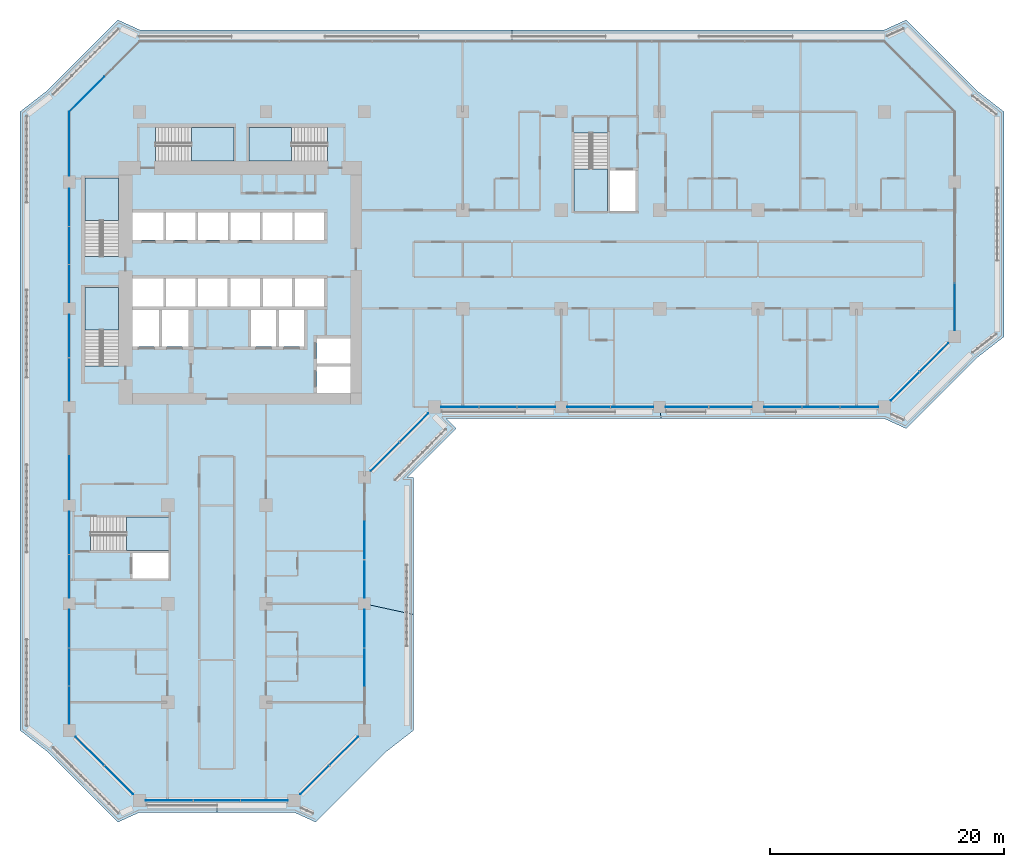
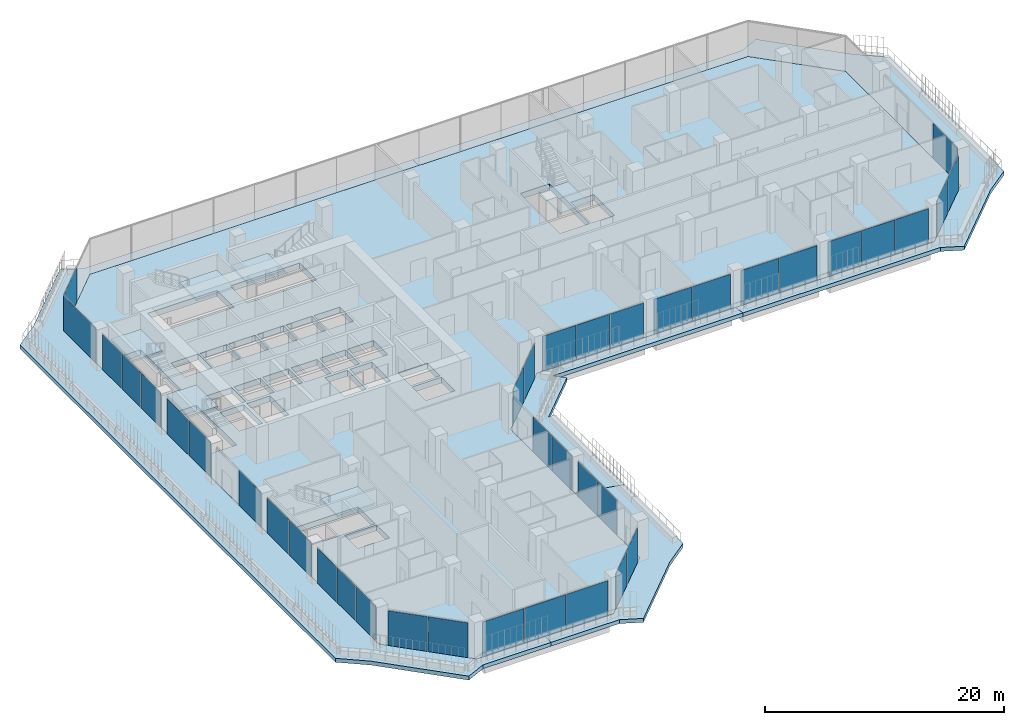
# One storey, part 9 of 23: 39 plates, 11 slabs, 16 elements without a shape of their own.
"""IFC4 building model written with IfcOpenShell, lengths in metres."""

from ifc_helpers import new_model, si_unit, direction, frame, origin, origin_2d, place, context, subcontext, project, spatial, polyline, rectangle, outline, extrude, material, layer, layer_set, type_object, element, aggregate, save


model = new_model("IFC4")

# Units and contexts
model_context = context("Model", 3, precision=1e-05, world=origin(), true_north=direction((0.0, 1.0)))
body_context = subcontext(model_context, "Body", "Model", "MODEL_VIEW")
ifc_project = project(units=[si_unit("LENGTHUNIT", "METRE"), si_unit("AREAUNIT", "SQUARE_METRE"), si_unit("VOLUMEUNIT", "CUBIC_METRE"), si_unit("PLANEANGLEUNIT", "RADIAN"), si_unit("MASSUNIT", "GRAM", prefix="KILO")], contexts=[model_context])

# Site, building, storey
site_placement = place(None, origin())
site = spatial("IfcSite", under=ifc_project, at=site_placement, CompositionType="ELEMENT")
building_placement = place(site_placement, origin())
building = spatial("IfcBuilding", under=site, at=building_placement, Name="Kawkab Arch Medical Tower", CompositionType="ELEMENT")
storey_placement = place(building_placement, frame((0.0, 0.0, 149.199951171875)))
storey = spatial("IfcBuildingStorey", under=building, at=storey_placement, Name="L34", CompositionType="ELEMENT", Elevation=149.199951171875)

# Curtain wall, plates
ifc_material_1 = material(Name="Bronze anodised aluminium curtain wall frame", Category="aluminium")
ifc_layer_1 = layer(ifc_material_1, 0.159912109375)
ifc_layer_set_1 = layer_set([ifc_layer_1], Name="Bronze anodised aluminium curtain wall frame")
curtain_wall_type_1 = type_object("IfcCurtainWallType", Name="CW1 ward curtain wall", PredefinedType="NOTDEFINED", material=ifc_layer_set_1)
placement_1 = place(storey_placement, origin())
curtain_wall_1 = element("IfcCurtainWall", 1, at=placement_1, inside=storey, type_object=curtain_wall_type_1, Name="CW1 Ward curtain wall R01", PredefinedType="NOTDEFINED")
ifc_material_2 = material(Name="Tinted insulating glass, bronze low-e coating", Category="glass")
ifc_layer_2 = layer(ifc_material_2, 0.031982421875)
ifc_layer_set_2 = layer_set([ifc_layer_2], Name="Tinted insulating glass, bronze low-e coating")
plate_type_1 = type_object("IfcPlateType", Name="CW1 glazing unit 32", PredefinedType="CURTAIN_PANEL", material=ifc_layer_set_2)
plate_1_placement = place(storey_placement, frame((0.0, -2.72509765625, 0.0), z_axis=(0.0, 0.0, 1.0), x_axis=(0.0, -1.0, 0.0)))
plate_1 = element("IfcPlate", 2, at=plate_1_placement, type_object=plate_type_1, Name="CW1 glazing unit 1.1", PredefinedType="CURTAIN_PANEL", context=body_context, shape_type="SweptSolid", body=[
    extrude(rectangle(XDim=5.449951171875, YDim=0.031982421875, at=origin_2d()), origin(), (0.0, 0.0, 1.0), 3.580078125),
])
plate_2_placement = place(storey_placement, frame((0.0, -8.15576171875, 0.0), z_axis=(0.0, 0.0, 1.0), x_axis=(0.0, -1.0, 0.0)))
plate_2 = element("IfcPlate", 3, at=plate_2_placement, type_object=plate_type_1, Name="CW1 glazing unit 2.1", PredefinedType="CURTAIN_PANEL", context=body_context, shape_type="SweptSolid", body=[
    extrude(rectangle(XDim=3.211669921875, YDim=0.031982421875, at=origin_2d()), origin(), (0.0, 0.0, 1.0), 3.580078125),
])
plate_3_placement = place(storey_placement, frame((0.0, -11.41259765625, 0.0), z_axis=(0.0, 0.0, 1.0), x_axis=(0.0, -1.0, 0.0)))
plate_3 = element("IfcPlate", 4, at=plate_3_placement, type_object=plate_type_1, Name="CW1 glazing unit 2.2", PredefinedType="CURTAIN_PANEL", context=body_context, shape_type="SweptSolid", body=[
    extrude(rectangle(XDim=3.181640625, YDim=0.031982421875, at=origin_2d()), origin(), (0.0, 0.0, 1.0), 3.580078125),
])
plate_4_placement = place(storey_placement, frame((0.0, -14.669189453125, 0.0), z_axis=(0.0, 0.0, 1.0), x_axis=(0.0, -1.0, 0.0)))
plate_4 = element("IfcPlate", 5, at=plate_4_placement, type_object=plate_type_1, Name="CW1 glazing unit 2.3", PredefinedType="CURTAIN_PANEL", context=body_context, shape_type="SweptSolid", body=[
    extrude(rectangle(XDim=3.211669921875, YDim=0.031982421875, at=origin_2d()), origin(), (0.0, 0.0, 1.0), 3.580078125),
])
plate_5_placement = place(storey_placement, frame((0.0, -19.1474609375, 0.0), z_axis=(0.0, 0.0, 1.0), x_axis=(0.0, -1.0, 0.0)))
plate_5 = element("IfcPlate", 6, at=plate_5_placement, type_object=plate_type_1, Name="CW1 glazing unit 3.1", PredefinedType="CURTAIN_PANEL", context=body_context, shape_type="SweptSolid", body=[
    extrude(rectangle(XDim=3.64501953125, YDim=0.031982421875, at=origin_2d()), origin(), (0.0, 0.0, 1.0), 3.580078125),
])
plate_6_placement = place(storey_placement, frame((0.0, -22.8525390625, 0.0), z_axis=(0.0, 0.0, 1.0), x_axis=(0.0, -1.0, 0.0)))
plate_6 = element("IfcPlate", 7, at=plate_6_placement, type_object=plate_type_1, Name="CW1 glazing unit 3.2", PredefinedType="CURTAIN_PANEL", context=body_context, shape_type="SweptSolid", body=[
    extrude(rectangle(XDim=3.64501953125, YDim=0.031982421875, at=origin_2d()), origin(), (0.0, 0.0, 1.0), 3.580078125),
])
plate_7_placement = place(storey_placement, frame((0.0, -31.237548828125, 0.0), z_axis=(0.0, 0.0, 1.0), x_axis=(0.0, -1.0, 0.0)))
plate_7 = element("IfcPlate", 8, at=plate_7_placement, type_object=plate_type_1, Name="CW1 glazing unit 4.2", PredefinedType="CURTAIN_PANEL", context=body_context, shape_type="SweptSolid", body=[
    extrude(rectangle(XDim=3.675048828125, YDim=0.031982421875, at=origin_2d()), origin(), (0.0, 0.0, 1.0), 3.580078125),
])
plate_8_placement = place(storey_placement, frame((0.0, -35.947509765625, 0.0), z_axis=(0.0, 0.0, 1.0), x_axis=(0.0, -1.0, 0.0)))
plate_8 = element("IfcPlate", 9, at=plate_8_placement, type_object=plate_type_1, Name="CW1 glazing unit 5.1", PredefinedType="CURTAIN_PANEL", context=body_context, shape_type="SweptSolid", body=[
    extrude(rectangle(XDim=3.64501953125, YDim=0.031982421875, at=origin_2d()), origin(), (0.0, 0.0, 1.0), 3.580078125),
])
plate_9_placement = place(storey_placement, frame((0.0, -39.652587890625, 0.0), z_axis=(0.0, 0.0, 1.0), x_axis=(0.0, -1.0, 0.0)))
plate_9 = element("IfcPlate", 10, at=plate_9_placement, type_object=plate_type_1, Name="CW1 glazing unit 5.2", PredefinedType="CURTAIN_PANEL", context=body_context, shape_type="SweptSolid", body=[
    extrude(rectangle(XDim=3.64501953125, YDim=0.031982421875, at=origin_2d()), origin(), (0.0, 0.0, 1.0), 3.580078125),
])
plate_10_placement = place(storey_placement, frame((0.0, -44.130859375, 0.0), z_axis=(0.0, 0.0, 1.0), x_axis=(0.0, -1.0, 0.0)))
plate_10 = element("IfcPlate", 11, at=plate_10_placement, type_object=plate_type_1, Name="CW1 glazing unit 6.1", PredefinedType="CURTAIN_PANEL", context=body_context, shape_type="SweptSolid", body=[
    extrude(rectangle(XDim=3.211669921875, YDim=0.031982421875, at=origin_2d()), origin(), (0.0, 0.0, 1.0), 3.580078125),
])
plate_11_placement = place(storey_placement, frame((0.0, -47.387451171875, 0.0), z_axis=(0.0, 0.0, 1.0), x_axis=(0.0, -1.0, 0.0)))
plate_11 = element("IfcPlate", 12, at=plate_11_placement, type_object=plate_type_1, Name="CW1 glazing unit 6.2", PredefinedType="CURTAIN_PANEL", context=body_context, shape_type="SweptSolid", body=[
    extrude(rectangle(XDim=3.181640625, YDim=0.031982421875, at=origin_2d()), origin(), (0.0, 0.0, 1.0), 3.580078125),
])
plate_12_placement = place(storey_placement, frame((0.0, -50.644287109375, 0.0), z_axis=(0.0, 0.0, 1.0), x_axis=(0.0, -1.0, 0.0)))
plate_12 = element("IfcPlate", 13, at=plate_12_placement, type_object=plate_type_1, Name="CW1 glazing unit 6.3", PredefinedType="CURTAIN_PANEL", context=body_context, shape_type="SweptSolid", body=[
    extrude(rectangle(XDim=3.211669921875, YDim=0.031982421875, at=origin_2d()), origin(), (0.0, 0.0, 1.0), 3.580078125),
])
aggregate(curtain_wall_1, [plate_1, plate_2, plate_3, plate_4, plate_5, plate_6, plate_7, plate_8, plate_9, plate_10, plate_11, plate_12])

curtain_wall_2 = element("IfcCurtainWall", 14, at=placement_1, inside=storey, type_object=curtain_wall_type_1, Name="CW1 Ward curtain wall R03", PredefinedType="NOTDEFINED")
plate_13_placement = place(storey_placement, frame((8.5517578125, -58.800048828125, 0.0), z_axis=(0.0, 0.0, 1.0), x_axis=(1.0, 0.0, 0.0)))
plate_13 = element("IfcPlate", 15, at=plate_13_placement, type_object=plate_type_1, Name="CW1 glazing unit 1.1", PredefinedType="CURTAIN_PANEL", context=body_context, shape_type="SweptSolid", body=[
    extrude(rectangle(XDim=4.00341796875, YDim=0.031982421875, at=origin_2d()), origin(), (0.0, 0.0, 1.0), 3.580078125),
])
plate_14_placement = place(storey_placement, frame((12.60009765625, -58.800048828125, 0.0), z_axis=(0.0, 0.0, 1.0), x_axis=(1.0, 0.0, 0.0)))
plate_14 = element("IfcPlate", 16, at=plate_14_placement, type_object=plate_type_1, Name="CW1 glazing unit 1.2", PredefinedType="CURTAIN_PANEL", context=body_context, shape_type="SweptSolid", body=[
    extrude(rectangle(XDim=3.973388671875, YDim=0.031982421875, at=origin_2d()), origin(), (0.0, 0.0, 1.0), 3.580078125),
])
plate_15_placement = place(storey_placement, frame((16.6484375, -58.800048828125, 0.0), z_axis=(0.0, 0.0, 1.0), x_axis=(1.0, 0.0, 0.0)))
plate_15 = element("IfcPlate", 17, at=plate_15_placement, type_object=plate_type_1, Name="CW1 glazing unit 1.3", PredefinedType="CURTAIN_PANEL", context=body_context, shape_type="SweptSolid", body=[
    extrude(rectangle(XDim=4.00341796875, YDim=0.031982421875, at=origin_2d()), origin(), (0.0, 0.0, 1.0), 3.580078125),
])
aggregate(curtain_wall_2, [plate_13, plate_14, plate_15])

curtain_wall_3 = element("IfcCurtainWall", 18, at=placement_1, inside=storey, type_object=curtain_wall_type_1, Name="CW1 Ward curtain wall R05", PredefinedType="NOTDEFINED")
plate_16_placement = place(storey_placement, frame((25.199951171875, -47.402587890625, 0.0), z_axis=(0.0, 0.0, 1.0), x_axis=(0.0, 1.0, 0.0)))
plate_16 = element("IfcPlate", 19, at=plate_16_placement, type_object=plate_type_1, Name="CW1 glazing unit 1.2", PredefinedType="CURTAIN_PANEL", context=body_context, shape_type="SweptSolid", body=[
    extrude(rectangle(XDim=3.211669921875, YDim=0.031982421875, at=origin_2d()), origin(), (0.0, 0.0, 1.0), 3.580078125),
])
plate_17_placement = place(storey_placement, frame((25.199951171875, -44.130859375, 0.0), z_axis=(0.0, 0.0, 1.0), x_axis=(0.0, 1.0, 0.0)))
plate_17 = element("IfcPlate", 20, at=plate_17_placement, type_object=plate_type_1, Name="CW1 glazing unit 1.3", PredefinedType="CURTAIN_PANEL", context=body_context, shape_type="SweptSolid", body=[
    extrude(rectangle(XDim=3.211669921875, YDim=0.031982421875, at=origin_2d()), origin(), (0.0, 0.0, 1.0), 3.580078125),
])
plate_18_placement = place(storey_placement, frame((25.199951171875, -39.869140625, 0.0), z_axis=(0.0, 0.0, 1.0), x_axis=(0.0, 1.0, 0.0)))
plate_18 = element("IfcPlate", 21, at=plate_18_placement, type_object=plate_type_1, Name="CW1 glazing unit 2.1", PredefinedType="CURTAIN_PANEL", context=body_context, shape_type="SweptSolid", body=[
    extrude(rectangle(XDim=3.211669921875, YDim=0.031982421875, at=origin_2d()), origin(), (0.0, 0.0, 1.0), 3.580078125),
])
plate_19_placement = place(storey_placement, frame((25.199951171875, -36.597412109375, 0.0), z_axis=(0.0, 0.0, 1.0), x_axis=(0.0, 1.0, 0.0)))
plate_19 = element("IfcPlate", 22, at=plate_19_placement, type_object=plate_type_1, Name="CW1 glazing unit 2.2", PredefinedType="CURTAIN_PANEL", context=body_context, shape_type="SweptSolid", body=[
    extrude(rectangle(XDim=3.211669921875, YDim=0.031982421875, at=origin_2d()), origin(), (0.0, 0.0, 1.0), 3.580078125),
])
aggregate(curtain_wall_3, [plate_16, plate_17, plate_18, plate_19])

curtain_wall_4 = element("IfcCurtainWall", 23, at=placement_1, inside=storey, type_object=curtain_wall_type_1, Name="CW1 Ward curtain wall R07", PredefinedType="NOTDEFINED")
plate_20_placement = place(storey_placement, frame((33.355712890625, -25.199951171875, 0.0), z_axis=(0.0, 0.0, 1.0), x_axis=(1.0, 0.0, 0.0)))
plate_20 = element("IfcPlate", 24, at=plate_20_placement, type_object=plate_type_1, Name="CW1 glazing unit 1.1", PredefinedType="CURTAIN_PANEL", context=body_context, shape_type="SweptSolid", body=[
    extrude(rectangle(XDim=3.211669921875, YDim=0.031982421875, at=origin_2d()), origin(), (0.0, 0.0, 1.0), 3.580078125),
])
plate_21_placement = place(storey_placement, frame((36.612548828125, -25.199951171875, 0.0), z_axis=(0.0, 0.0, 1.0), x_axis=(1.0, 0.0, 0.0)))
plate_21 = element("IfcPlate", 25, at=plate_21_placement, type_object=plate_type_1, Name="CW1 glazing unit 1.2", PredefinedType="CURTAIN_PANEL", context=body_context, shape_type="SweptSolid", body=[
    extrude(rectangle(XDim=3.181640625, YDim=0.031982421875, at=origin_2d()), origin(), (0.0, 0.0, 1.0), 3.580078125),
])
plate_22_placement = place(storey_placement, frame((39.869140625, -25.199951171875, 0.0), z_axis=(0.0, 0.0, 1.0), x_axis=(1.0, 0.0, 0.0)))
plate_22 = element("IfcPlate", 26, at=plate_22_placement, type_object=plate_type_1, Name="CW1 glazing unit 1.3", PredefinedType="CURTAIN_PANEL", context=body_context, shape_type="SweptSolid", body=[
    extrude(rectangle(XDim=3.211669921875, YDim=0.031982421875, at=origin_2d()), origin(), (0.0, 0.0, 1.0), 3.580078125),
])
plate_23_placement = place(storey_placement, frame((44.347412109375, -25.199951171875, 0.0), z_axis=(0.0, 0.0, 1.0), x_axis=(1.0, 0.0, 0.0)))
plate_23 = element("IfcPlate", 27, at=plate_23_placement, type_object=plate_type_1, Name="CW1 glazing unit 2.1", PredefinedType="CURTAIN_PANEL", context=body_context, shape_type="SweptSolid", body=[
    extrude(rectangle(XDim=3.64501953125, YDim=0.031982421875, at=origin_2d()), origin(), (0.0, 0.0, 1.0), 3.580078125),
])
plate_24_placement = place(storey_placement, frame((48.052490234375, -25.199951171875, 0.0), z_axis=(0.0, 0.0, 1.0), x_axis=(1.0, 0.0, 0.0)))
plate_24 = element("IfcPlate", 28, at=plate_24_placement, type_object=plate_type_1, Name="CW1 glazing unit 2.2", PredefinedType="CURTAIN_PANEL", context=body_context, shape_type="SweptSolid", body=[
    extrude(rectangle(XDim=3.64501953125, YDim=0.031982421875, at=origin_2d()), origin(), (0.0, 0.0, 1.0), 3.580078125),
])
plate_25_placement = place(storey_placement, frame((52.74755859375, -25.199951171875, 0.0), z_axis=(0.0, 0.0, 1.0), x_axis=(1.0, 0.0, 0.0)))
plate_25 = element("IfcPlate", 29, at=plate_25_placement, type_object=plate_type_1, Name="CW1 glazing unit 3.1", PredefinedType="CURTAIN_PANEL", context=body_context, shape_type="SweptSolid", body=[
    extrude(rectangle(XDim=3.64501953125, YDim=0.031982421875, at=origin_2d()), origin(), (0.0, 0.0, 1.0), 3.580078125),
])
plate_26_placement = place(storey_placement, frame((56.452392578125, -25.199951171875, 0.0), z_axis=(0.0, 0.0, 1.0), x_axis=(1.0, 0.0, 0.0)))
plate_26 = element("IfcPlate", 30, at=plate_26_placement, type_object=plate_type_1, Name="CW1 glazing unit 3.2", PredefinedType="CURTAIN_PANEL", context=body_context, shape_type="SweptSolid", body=[
    extrude(rectangle(XDim=3.64501953125, YDim=0.031982421875, at=origin_2d()), origin(), (0.0, 0.0, 1.0), 3.580078125),
])
plate_27_placement = place(storey_placement, frame((60.930908203125, -25.199951171875, 0.0), z_axis=(0.0, 0.0, 1.0), x_axis=(1.0, 0.0, 0.0)))
plate_27 = element("IfcPlate", 31, at=plate_27_placement, type_object=plate_type_1, Name="CW1 glazing unit 4.1", PredefinedType="CURTAIN_PANEL", context=body_context, shape_type="SweptSolid", body=[
    extrude(rectangle(XDim=3.211669921875, YDim=0.031982421875, at=origin_2d()), origin(), (0.0, 0.0, 1.0), 3.580078125),
])
plate_28_placement = place(storey_placement, frame((64.1875, -25.199951171875, 0.0), z_axis=(0.0, 0.0, 1.0), x_axis=(1.0, 0.0, 0.0)))
plate_28 = element("IfcPlate", 32, at=plate_28_placement, type_object=plate_type_1, Name="CW1 glazing unit 4.2", PredefinedType="CURTAIN_PANEL", context=body_context, shape_type="SweptSolid", body=[
    extrude(rectangle(XDim=3.181640625, YDim=0.031982421875, at=origin_2d()), origin(), (0.0, 0.0, 1.0), 3.580078125),
])
plate_29_placement = place(storey_placement, frame((67.444091796875, -25.199951171875, 0.0), z_axis=(0.0, 0.0, 1.0), x_axis=(1.0, 0.0, 0.0)))
plate_29 = element("IfcPlate", 33, at=plate_29_placement, type_object=plate_type_1, Name="CW1 glazing unit 4.3", PredefinedType="CURTAIN_PANEL", context=body_context, shape_type="SweptSolid", body=[
    extrude(rectangle(XDim=3.211669921875, YDim=0.031982421875, at=origin_2d()), origin(), (0.0, 0.0, 1.0), 3.580078125),
])
aggregate(curtain_wall_4, [plate_20, plate_21, plate_22, plate_23, plate_24, plate_25, plate_26, plate_27, plate_28, plate_29])

# Curtain wall, plate
curtain_wall_5 = element("IfcCurtainWall", 34, at=placement_1, inside=storey, type_object=curtain_wall_type_1, Name="CW1 Ward curtain wall R09", PredefinedType="NOTDEFINED")
plate_30_placement = place(storey_placement, frame((75.60009765625, -16.6484375, 0.0), z_axis=(0.0, 0.0, 1.0), x_axis=(0.0, 1.0, 0.0)))
plate_30 = element("IfcPlate", 35, at=plate_30_placement, type_object=plate_type_1, Name="CW1 glazing unit 1.1", PredefinedType="CURTAIN_PANEL", context=body_context, shape_type="SweptSolid", body=[
    extrude(rectangle(XDim=4.00341796875, YDim=0.031982421875, at=origin_2d()), origin(), (0.0, 0.0, 1.0), 3.580078125),
])
aggregate(curtain_wall_5, [plate_30])

# Curtain wall, plates
ifc_material_3 = material(Name="Bronze anodised aluminium curtain wall frame", Category="aluminium")
ifc_layer_3 = layer(ifc_material_3, 0.159912109375)
ifc_layer_set_3 = layer_set([ifc_layer_3], Name="Bronze anodised aluminium curtain wall frame")
curtain_wall_type_2 = type_object("IfcCurtainWallType", Name="CW2 chamfer curtain wall", PredefinedType="NOTDEFINED", material=ifc_layer_set_3)
curtain_wall_6 = element("IfcCurtainWall", 36, at=placement_1, inside=storey, type_object=curtain_wall_type_2, Name="CW2 Chamfer curtain wall R02", PredefinedType="NOTDEFINED")
ifc_material_4 = material(Name="Tinted insulating glass, bronze low-e coating", Category="glass")
ifc_layer_4 = layer(ifc_material_4, 0.031982421875)
ifc_layer_set_4 = layer_set([ifc_layer_4], Name="Tinted insulating glass, bronze low-e coating")
plate_type_2 = type_object("IfcPlateType", Name="CW2 glazing unit 32", PredefinedType="CURTAIN_PANEL", material=ifc_layer_set_4)
plate_31_placement = place(storey_placement, frame((1.764404296875, -54.564453125, 0.0), z_axis=(0.0, 0.0, 1.0), x_axis=(0.707106781187, -0.707106781187, 0.0)))
plate_31 = element("IfcPlate", 37, at=plate_31_placement, type_object=plate_type_2, Name="CW2 glazing unit 1.1", PredefinedType="CURTAIN_PANEL", context=body_context, shape_type="SweptSolid", body=[
    extrude(rectangle(XDim=3.434814453125, YDim=0.031982421875, at=origin_2d()), origin(), (0.0, 0.0, 1.0), 3.56005859375),
])
plate_32_placement = place(storey_placement, frame((4.235595703125, -57.03564453125, 0.0), z_axis=(0.0, 0.0, 1.0), x_axis=(0.707106781187, -0.707106781187, 0.0)))
plate_32 = element("IfcPlate", 38, at=plate_32_placement, type_object=plate_type_2, Name="CW2 glazing unit 1.2", PredefinedType="CURTAIN_PANEL", context=body_context, shape_type="SweptSolid", body=[
    extrude(rectangle(XDim=3.434814453125, YDim=0.031982421875, at=origin_2d()), origin(), (0.0, 0.0, 1.0), 3.56005859375),
])
aggregate(curtain_wall_6, [plate_31, plate_32])

curtain_wall_7 = element("IfcCurtainWall", 39, at=placement_1, inside=storey, type_object=curtain_wall_type_2, Name="CW2 Chamfer curtain wall R04", PredefinedType="NOTDEFINED")
plate_33_placement = place(storey_placement, frame((20.96435546875, -57.03564453125, 0.0), z_axis=(0.0, 0.0, 1.0), x_axis=(0.707106781187, 0.707106781187, 0.0)))
plate_33 = element("IfcPlate", 40, at=plate_33_placement, type_object=plate_type_2, Name="CW2 glazing unit 1.1", PredefinedType="CURTAIN_PANEL", context=body_context, shape_type="SweptSolid", body=[
    extrude(rectangle(XDim=3.434814453125, YDim=0.031982421875, at=origin_2d()), origin(), (0.0, 0.0, 1.0), 3.56005859375),
])
plate_34_placement = place(storey_placement, frame((23.435546875, -54.564453125, 0.0), z_axis=(0.0, 0.0, 1.0), x_axis=(0.707106781187, 0.707106781187, 0.0)))
plate_34 = element("IfcPlate", 41, at=plate_34_placement, type_object=plate_type_2, Name="CW2 glazing unit 1.2", PredefinedType="CURTAIN_PANEL", context=body_context, shape_type="SweptSolid", body=[
    extrude(rectangle(XDim=3.434814453125, YDim=0.031982421875, at=origin_2d()), origin(), (0.0, 0.0, 1.0), 3.56005859375),
])
aggregate(curtain_wall_7, [plate_33, plate_34])

curtain_wall_8 = element("IfcCurtainWall", 42, at=placement_1, inside=storey, type_object=curtain_wall_type_2, Name="CW2 Chamfer curtain wall R06", PredefinedType="NOTDEFINED")
plate_35_placement = place(storey_placement, frame((26.96435546875, -29.435546875, 0.0), z_axis=(0.0, 0.0, 1.0), x_axis=(0.707106781187, 0.707106781187, 0.0)))
plate_35 = element("IfcPlate", 43, at=plate_35_placement, type_object=plate_type_2, Name="CW2 glazing unit 1.1", PredefinedType="CURTAIN_PANEL", context=body_context, shape_type="SweptSolid", body=[
    extrude(rectangle(XDim=3.434814453125, YDim=0.031982421875, at=origin_2d()), origin(), (0.0, 0.0, 1.0), 3.56005859375),
])
plate_36_placement = place(storey_placement, frame((29.435546875, -26.96435546875, 0.0), z_axis=(0.0, 0.0, 1.0), x_axis=(0.707106781187, 0.707106781187, 0.0)))
plate_36 = element("IfcPlate", 44, at=plate_36_placement, type_object=plate_type_2, Name="CW2 glazing unit 1.2", PredefinedType="CURTAIN_PANEL", context=body_context, shape_type="SweptSolid", body=[
    extrude(rectangle(XDim=3.434814453125, YDim=0.031982421875, at=origin_2d()), origin(), (0.0, 0.0, 1.0), 3.56005859375),
])
aggregate(curtain_wall_8, [plate_35, plate_36])

curtain_wall_9 = element("IfcCurtainWall", 45, at=placement_1, inside=storey, type_object=curtain_wall_type_2, Name="CW2 Chamfer curtain wall R08", PredefinedType="NOTDEFINED")
plate_37_placement = place(storey_placement, frame((71.364501953125, -23.435546875, 0.0), z_axis=(0.0, 0.0, 1.0), x_axis=(0.707106781187, 0.707106781187, 0.0)))
plate_37 = element("IfcPlate", 46, at=plate_37_placement, type_object=plate_type_2, Name="CW2 glazing unit 1.1", PredefinedType="CURTAIN_PANEL", context=body_context, shape_type="SweptSolid", body=[
    extrude(rectangle(XDim=3.434814453125, YDim=0.031982421875, at=origin_2d()), origin(), (0.0, 0.0, 1.0), 3.56005859375),
])
plate_38_placement = place(storey_placement, frame((73.835693359375, -20.96435546875, 0.0), z_axis=(0.0, 0.0, 1.0), x_axis=(0.707106781187, 0.707106781187, 0.0)))
plate_38 = element("IfcPlate", 47, at=plate_38_placement, type_object=plate_type_2, Name="CW2 glazing unit 1.2", PredefinedType="CURTAIN_PANEL", context=body_context, shape_type="SweptSolid", body=[
    extrude(rectangle(XDim=3.434814453125, YDim=0.031982421875, at=origin_2d()), origin(), (0.0, 0.0, 1.0), 3.56005859375),
])
aggregate(curtain_wall_9, [plate_37, plate_38])

# Curtain wall, plate
curtain_wall_10 = element("IfcCurtainWall", 48, at=placement_1, inside=storey, type_object=curtain_wall_type_2, Name="CW2 Chamfer curtain wall R12", PredefinedType="NOTDEFINED")
plate_39_placement = place(storey_placement, frame((1.5, 1.5, 0.0), z_axis=(0.0, 0.0, 1.0), x_axis=(-0.707106781187, -0.707106781187, 0.0)))
plate_39 = element("IfcPlate", 49, at=plate_39_placement, type_object=plate_type_2, Name="CW2 glazing unit 2.1", PredefinedType="CURTAIN_PANEL", context=body_context, shape_type="SweptSolid", body=[
    extrude(rectangle(XDim=4.24267578125, YDim=0.031982421875, at=origin_2d()), origin(), (0.0, 0.0, 1.0), 3.56005859375),
])
aggregate(curtain_wall_10, [plate_39])

# Stair, slab
ifc_material_5 = material(Name="Concrete C40/50", Category="concrete")
stair_type = type_object("IfcStairType", Name="Exit stair 1350", PredefinedType="HALF_TURN_STAIR", material=ifc_material_5)
stair_1 = element("IfcStair", 50, at=placement_1, inside=storey, type_object=stair_type, Name="L34 Exit stair ST1", PredefinedType="HALF_TURN_STAIR")
ifc_material_6 = material(Name="Concrete C40/50", Category="concrete")
ifc_layer_5 = layer(ifc_material_6, 0.199951171875)
ifc_layer_set_5 = layer_set([ifc_layer_5], Name="Concrete C40/50")
slab_type_1 = type_object("IfcSlabType", Name="Exit stair landing 200", PredefinedType="LANDING", material=ifc_layer_set_5)
placement_2 = place(storey_placement, frame((0.0, 0.0, 1.900146484375)))
slab_1 = element("IfcSlab", 51, at=placement_2, type_object=slab_type_1, Name="ST1 landing 1", PredefinedType="LANDING", context=body_context, shape_type="SweptSolid", body=[
    extrude(outline(polyline([(4.199951171875, -9.27001953125), (4.199951171875, -5.64990234375), (1.35009765625, -5.64990234375), (1.35009765625, -9.27001953125), (4.199951171875, -9.27001953125)])), origin(), (0.0, 0.0, 1.0), 0.199951171875),
])
aggregate(stair_1, [slab_1])

stair_2 = element("IfcStair", 52, at=placement_1, inside=storey, type_object=stair_type, Name="L34 Exit stair ST2", PredefinedType="HALF_TURN_STAIR")
slab_2 = element("IfcSlab", 53, at=placement_2, type_object=slab_type_1, Name="ST2 landing 1", PredefinedType="LANDING", context=body_context, shape_type="SweptSolid", body=[
    extrude(outline(polyline([(4.199951171875, -18.6201171875), (4.199951171875, -15.0), (1.35009765625, -15.0), (1.35009765625, -18.6201171875), (4.199951171875, -18.6201171875)])), origin(), (0.0, 0.0, 1.0), 0.199951171875),
])
aggregate(stair_2, [slab_2])

stair_3 = element("IfcStair", 54, at=placement_1, inside=storey, type_object=stair_type, Name="L34 Exit stair ST3", PredefinedType="HALF_TURN_STAIR")
slab_3 = element("IfcSlab", 55, at=placement_2, type_object=slab_type_1, Name="ST3 landing 1", PredefinedType="LANDING", context=body_context, shape_type="SweptSolid", body=[
    extrude(outline(polyline([(10.429931640625, -4.199951171875), (14.050048828125, -4.199951171875), (14.050048828125, -1.35009765625), (10.429931640625, -1.35009765625), (10.429931640625, -4.199951171875)])), origin(), (0.0, 0.0, 1.0), 0.199951171875),
])
aggregate(stair_3, [slab_3])

stair_4 = element("IfcStair", 56, at=placement_1, inside=storey, type_object=stair_type, Name="L34 Exit stair ST4", PredefinedType="HALF_TURN_STAIR")
slab_4 = element("IfcSlab", 57, at=placement_2, type_object=slab_type_1, Name="ST4 landing 1", PredefinedType="LANDING", context=body_context, shape_type="SweptSolid", body=[
    extrude(outline(polyline([(18.969970703125, -1.35009765625), (15.35009765625, -1.35009765625), (15.35009765625, -4.199951171875), (18.969970703125, -4.199951171875), (18.969970703125, -1.35009765625)])), origin(), (0.0, 0.0, 1.0), 0.199951171875),
])
aggregate(stair_4, [slab_4])

stair_5 = element("IfcStair", 58, at=placement_1, inside=storey, type_object=stair_type, Name="L34 Exit stair ST5", PredefinedType="HALF_TURN_STAIR")
slab_5 = element("IfcSlab", 59, at=placement_2, type_object=slab_type_1, Name="ST5 landing 1", PredefinedType="LANDING", context=body_context, shape_type="SweptSolid", body=[
    extrude(outline(polyline([(43.10009765625, -4.8798828125), (43.10009765625, -8.5), (45.949951171875, -8.5), (45.949951171875, -4.8798828125), (43.10009765625, -4.8798828125)])), origin(), (0.0, 0.0, 1.0), 0.199951171875),
])
aggregate(stair_5, [slab_5])

stair_6 = element("IfcStair", 60, at=placement_1, inside=storey, type_object=stair_type, Name="L34 Exit stair ST6", PredefinedType="HALF_TURN_STAIR")
slab_6 = element("IfcSlab", 61, at=placement_2, type_object=slab_type_1, Name="ST6 landing 1", PredefinedType="LANDING", context=body_context, shape_type="SweptSolid", body=[
    extrude(outline(polyline([(4.8798828125, -37.449951171875), (8.5, -37.449951171875), (8.5, -34.60009765625), (4.8798828125, -34.60009765625), (4.8798828125, -37.449951171875)])), origin(), (0.0, 0.0, 1.0), 0.199951171875),
])
aggregate(stair_6, [slab_6])

# Slabs
ifc_material_7 = material(Name="Concrete C45/55", Category="concrete")
ifc_layer_6 = layer(ifc_material_7, 0.60009765625)
ifc_layer_set_6 = layer_set([ifc_layer_6], Name="Concrete C45/55")
slab_type_2 = type_object("IfcSlabType", Name="Flat plate 600 C45/55", PredefinedType="FLOOR", material=ifc_layer_set_6)
slab_7_placement = place(storey_placement, frame((0.0, 0.0, -0.599853515625)))
element("IfcSlab", 62, at=slab_7_placement, inside=storey, type_object=slab_type_2, Name="Floor slab L34", PredefinedType="FLOOR", context=body_context, shape_type="SweptSolid", body=[
    extrude(outline(polyline([(6.0, 6.0), (69.60009765625, 6.0), (75.60009765625, 0.0), (75.60009765625, -19.199951171875), (69.60009765625, -25.199951171875), (31.199951171875, -25.199951171875), (25.199951171875, -31.199951171875), (25.199951171875, -52.800048828125), (19.199951171875, -58.800048828125), (6.0, -58.800048828125), (0.0, -52.800048828125), (0.0, 0.0), (6.0, 6.0)]), holes=[polyline([(5.425048828125, -37.64990234375), (5.425048828125, -39.85009765625), (8.5, -39.85009765625), (8.5, -37.64990234375), (5.425048828125, -37.64990234375)]), polyline([(1.800048828125, -37.449951171875), (8.5, -37.449951171875), (8.5, -34.60009765625), (1.800048828125, -34.60009765625), (1.800048828125, -37.449951171875)]), polyline([(5.39990234375, -16.89990234375), (5.39990234375, -20.050048828125), (7.675048828125, -20.050048828125), (7.675048828125, -16.89990234375), (5.39990234375, -16.89990234375)]), polyline([(10.199951171875, -16.89990234375), (7.925048828125, -16.89990234375), (7.925048828125, -20.050048828125), (10.199951171875, -20.050048828125), (10.199951171875, -16.89990234375)]), polyline([(4.199951171875, -21.699951171875), (4.199951171875, -15.0), (1.35009765625, -15.0), (1.35009765625, -21.699951171875), (4.199951171875, -21.699951171875)]), polyline([(5.39990234375, -14.25), (5.39990234375, -16.60009765625), (8.050048828125, -16.60009765625), (8.050048828125, -14.25), (5.39990234375, -14.25)]), polyline([(10.800048828125, -14.25), (8.25, -14.25), (8.25, -16.60009765625), (10.800048828125, -16.60009765625), (10.800048828125, -14.25)]), polyline([(11.0, -14.25), (11.0, -16.60009765625), (13.52490234375, -16.60009765625), (13.52490234375, -14.25), (11.0, -14.25)]), polyline([(5.39990234375, -8.60009765625), (5.39990234375, -10.949951171875), (8.050048828125, -10.949951171875), (8.050048828125, -8.60009765625), (5.39990234375, -8.60009765625)]), polyline([(10.800048828125, -8.60009765625), (8.25, -8.60009765625), (8.25, -10.949951171875), (10.800048828125, -10.949951171875), (10.800048828125, -8.60009765625)]), polyline([(11.0, -10.949951171875), (13.550048828125, -10.949951171875), (13.550048828125, -8.60009765625), (11.0, -8.60009765625), (11.0, -10.949951171875)]), polyline([(4.199951171875, -12.35009765625), (4.199951171875, -5.64990234375), (1.35009765625, -5.64990234375), (1.35009765625, -12.35009765625), (4.199951171875, -12.35009765625)]), polyline([(7.35009765625, -4.199951171875), (14.050048828125, -4.199951171875), (14.050048828125, -1.35009765625), (7.35009765625, -1.35009765625), (7.35009765625, -4.199951171875)]), polyline([(24.0, -21.72509765625), (21.14990234375, -21.72509765625), (21.14990234375, -24.0), (24.0, -24.0), (24.0, -21.72509765625)]), polyline([(24.0, -21.47509765625), (24.0, -19.35009765625), (21.14990234375, -19.35009765625), (21.14990234375, -21.47509765625), (24.0, -21.47509765625)]), polyline([(15.52490234375, -16.89990234375), (15.52490234375, -20.050048828125), (17.675048828125, -20.050048828125), (17.675048828125, -16.89990234375), (15.52490234375, -16.89990234375)]), polyline([(17.925048828125, -20.050048828125), (20.050048828125, -20.050048828125), (20.050048828125, -16.89990234375), (17.925048828125, -16.89990234375), (17.925048828125, -20.050048828125)]), polyline([(16.27490234375, -14.25), (13.77490234375, -14.25), (13.77490234375, -16.60009765625), (16.27490234375, -16.60009765625), (16.27490234375, -14.25)]), polyline([(19.02490234375, -14.25), (16.52490234375, -14.25), (16.52490234375, -16.60009765625), (19.02490234375, -16.60009765625), (19.02490234375, -14.25)]), polyline([(19.27490234375, -16.60009765625), (21.75, -16.60009765625), (21.75, -14.25), (19.27490234375, -14.25), (19.27490234375, -16.60009765625)]), polyline([(13.75, -8.60009765625), (13.75, -10.949951171875), (16.300048828125, -10.949951171875), (16.300048828125, -8.60009765625), (13.75, -8.60009765625)]), polyline([(16.5, -8.60009765625), (16.5, -10.949951171875), (19.050048828125, -10.949951171875), (19.050048828125, -8.60009765625), (16.5, -8.60009765625)]), polyline([(19.25, -10.949951171875), (21.75, -10.949951171875), (21.75, -8.60009765625), (19.25, -8.60009765625), (19.25, -10.949951171875)]), polyline([(46.14990234375, -5.02490234375), (46.14990234375, -8.5), (48.35009765625, -8.5), (48.35009765625, -5.02490234375), (46.14990234375, -5.02490234375)]), polyline([(43.10009765625, -1.800048828125), (43.10009765625, -8.5), (45.949951171875, -8.5), (45.949951171875, -1.800048828125), (43.10009765625, -1.800048828125)]), polyline([(22.050048828125, -1.35009765625), (15.35009765625, -1.35009765625), (15.35009765625, -4.199951171875), (22.050048828125, -4.199951171875), (22.050048828125, -1.35009765625)])]), origin(), (0.0, 0.0, 1.0), 0.599853515625),
])
ifc_material_8 = material(Name="Concrete C40/50", Category="concrete")
ifc_layer_7 = layer(ifc_material_8, 0.39990234375)
ifc_layer_set_7 = layer_set([ifc_layer_7], Name="Concrete C40/50")
slab_type_3 = type_object("IfcSlabType", Name="Loggia slab 400", PredefinedType="FLOOR", material=ifc_layer_set_7)
placement_3 = place(storey_placement, frame((0.0, 0.0, -0.39990234375)))
element("IfcSlab", 63, at=placement_3, inside=storey, type_object=slab_type_3, Name="Loggia slab L34.1", PredefinedType="FLOOR", context=body_context, shape_type="SweptSolid", body=[
    extrude(outline(polyline([(19.199951171875, -59.800048828125), (12.60009765625, -59.800048828125), (12.60009765625, -58.800048828125), (19.199951171875, -58.800048828125), (25.199951171875, -52.800048828125), (25.199951171875, -42.0), (29.39990234375, -42.9130859375), (29.39990234375, -52.800048828125), (27.0380859375, -54.637939453125), (21.0380859375, -60.637939453125), (19.199951171875, -59.800048828125)])), origin(), (0.0, 0.0, 1.0), 0.39990234375),
])
element("IfcSlab", 64, at=placement_3, inside=storey, type_object=slab_type_3, Name="Loggia slab L34.2", PredefinedType="FLOOR", context=body_context, shape_type="SweptSolid", body=[
    extrude(outline(polyline([(33.037109375, -27.0380859375), (28.8759765625, -31.199951171875), (29.39990234375, -31.199951171875), (29.39990234375, -42.9130859375), (25.199951171875, -42.0), (25.199951171875, -31.199951171875), (31.199951171875, -25.199951171875), (50.39990234375, -25.199951171875), (50.534912109375, -26.199951171875), (32.198974609375, -26.199951171875), (33.037109375, -27.0380859375)])), origin(), (0.0, 0.0, 1.0), 0.39990234375),
])
element("IfcSlab", 65, at=placement_3, inside=storey, type_object=slab_type_3, Name="Loggia slab L34.3", PredefinedType="FLOOR", context=body_context, shape_type="SweptSolid", body=[
    extrude(outline(polyline([(-4.199951171875, 0.0), (-1.837890625, 1.837890625), (4.162109375, 7.837890625), (6.0, 7.0), (37.800048828125, 7.0), (37.800048828125, 6.0), (6.0, 6.0), (0.0, 0.0), (-0.0009765625, 0.0), (-0.0009765625, -52.800048828125), (0.0, -52.800048828125), (6.0, -58.800048828125), (12.60009765625, -58.800048828125), (12.60009765625, -59.800048828125), (6.0, -59.800048828125), (4.162109375, -60.637939453125), (-1.837890625, -54.637939453125), (-4.199951171875, -52.800048828125), (-4.199951171875, 0.0)])), origin(), (0.0, 0.0, 1.0), 0.39990234375),
])
element("IfcSlab", 66, at=placement_3, inside=storey, type_object=slab_type_3, Name="Loggia slab L34.4", PredefinedType="FLOOR", context=body_context, shape_type="SweptSolid", body=[
    extrude(outline(polyline([(37.800048828125, 7.0), (69.60009765625, 7.0), (71.43798828125, 7.837890625), (77.43798828125, 1.837890625), (79.800048828125, 0.0), (79.800048828125, -19.199951171875), (77.43798828125, -21.0380859375), (71.43798828125, -27.0380859375), (69.60009765625, -26.199951171875), (50.534912109375, -26.199951171875), (50.39990234375, -25.199951171875), (69.60009765625, -25.199951171875), (75.60009765625, -19.199951171875), (75.60009765625, 0.0), (69.60009765625, 6.0), (37.800048828125, 6.0), (37.800048828125, 7.0)])), origin(), (0.0, 0.0, 1.0), 0.39990234375),
])

save(model, "model.ifc")
